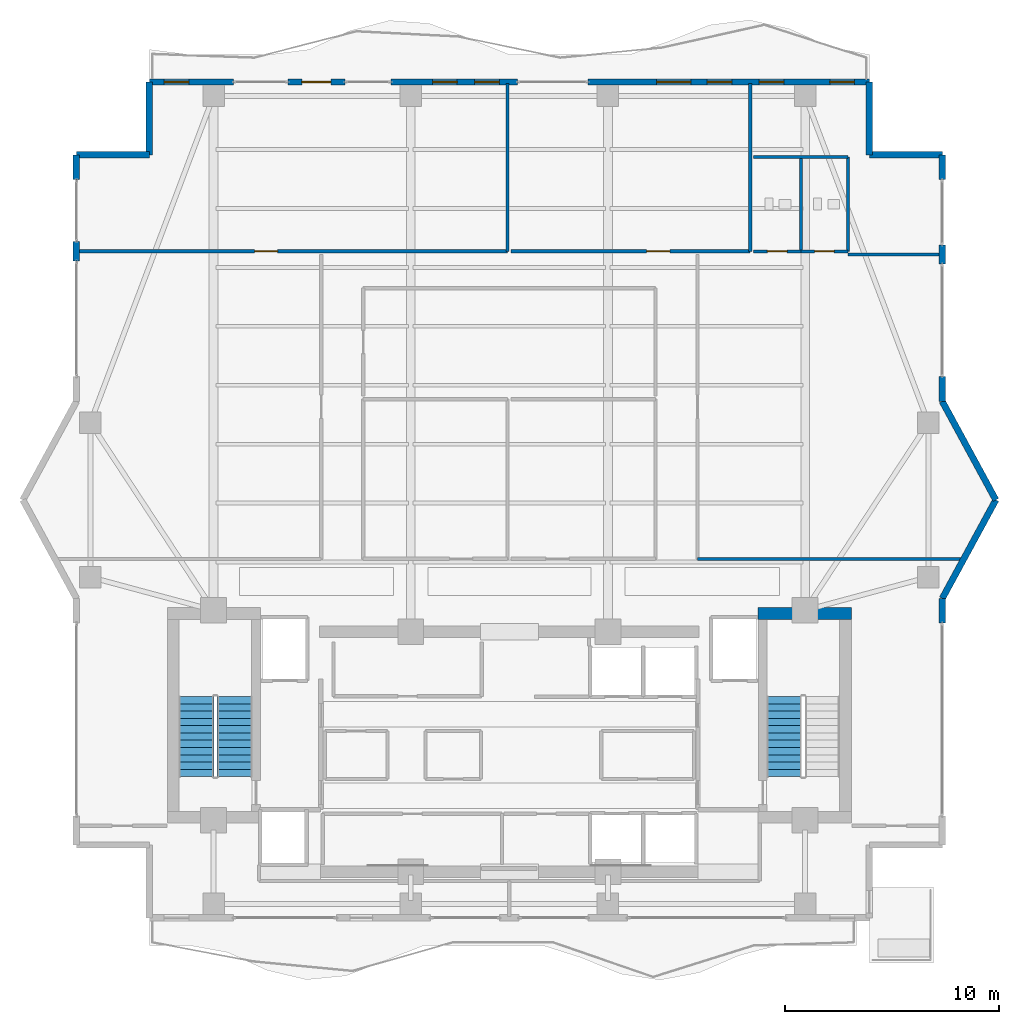
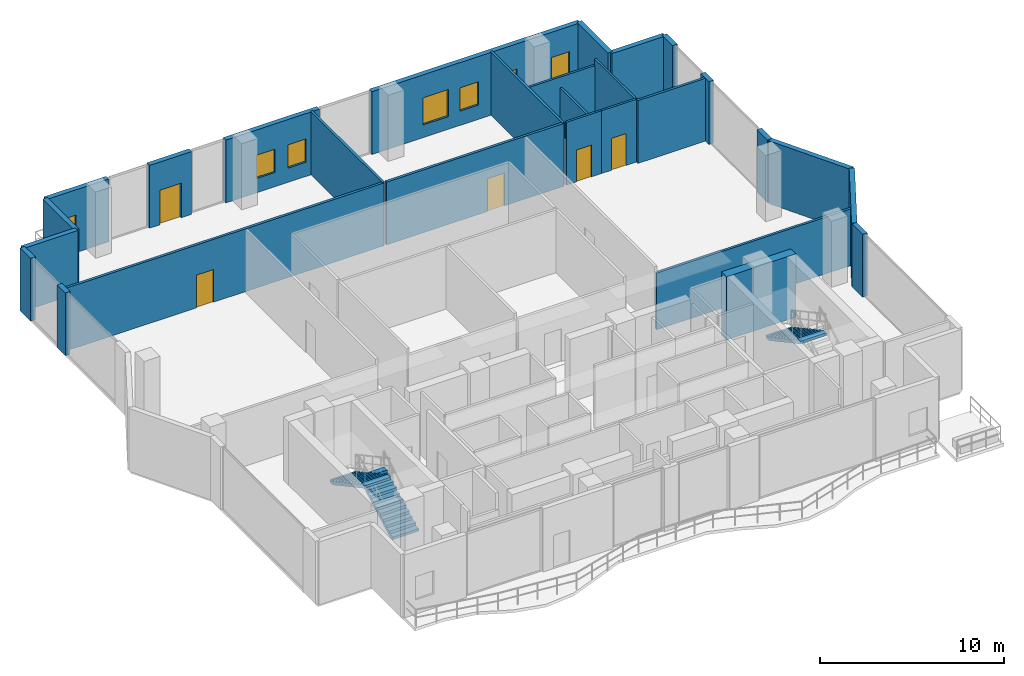
# One storey, part 19 of 23: 28 walls, 7 windows, 5 doors, 3 stair flights, 12 openings, 2 elements without a shape of their own.
"""IFC4 building model written with IfcOpenShell, lengths in metres."""

from ifc_helpers import new_model, si_unit, direction, frame, frame_2d, origin, place, context, subcontext, project, spatial, polyline, rectangle, outline, extrude, material, layer, layer_set, type_object, element, fill, aggregate, save


model = new_model("IFC4")

# Units and contexts
model_context = context("Model", 3, precision=1e-05, world=origin(), true_north=direction((0.0, 1.0)))
body_context = subcontext(model_context, "Body", "Model", "MODEL_VIEW")
ifc_project = project(units=[si_unit("LENGTHUNIT", "METRE"), si_unit("AREAUNIT", "SQUARE_METRE"), si_unit("VOLUMEUNIT", "CUBIC_METRE"), si_unit("PLANEANGLEUNIT", "RADIAN"), si_unit("MASSUNIT", "GRAM", prefix="KILO")], contexts=[model_context])

# Site, building, storey
site_placement = place(None, origin())
site = spatial("IfcSite", under=ifc_project, at=site_placement, CompositionType="ELEMENT")
building_placement = place(site_placement, origin())
building = spatial("IfcBuilding", under=site, at=building_placement, Name="Zuhayl Quay Hotel", CompositionType="ELEMENT")
storey_placement = place(building_placement, frame((0.0, 0.0, 288.449951171875)))
storey = spatial("IfcBuildingStorey", under=building, at=storey_placement, Name="L73", CompositionType="ELEMENT", Elevation=288.449951171875)

# Walls
ifc_material_1 = material(Name="Concrete C50/60", Category="concrete")
ifc_layer_1 = layer(ifc_material_1, 0.550048828125, Name="Concrete C50/60", Category="concrete")
ifc_layer_set_1 = layer_set([ifc_layer_1], Name="Concrete C50/60")
wall_type_1 = type_object("IfcWallType", Name="WL_CORE_550", PredefinedType="SHEAR", material=ifc_layer_set_1)
wall_1_placement = place(storey_placement, frame((11.60009765625, 14.205078125, 0.0), z_axis=(0.0, 0.0, 1.0), x_axis=(1.0, 0.0, 0.0)))
element("IfcWall", 1, at=wall_1_placement, inside=storey, type_object=wall_type_1, Name="L73 Core Shear Wall CW_NE", PredefinedType="SHEAR", context=body_context, shape_type="SweptSolid", body=[
    extrude(rectangle(XDim=4.35986328125, YDim=0.550048828125, at=frame_2d((2.179931640625, 0.0))), origin(), (0.0, 0.0, 1.0), 4.2099609375),
])
ifc_material_2 = material(Name="Precast concrete C45/55", Category="concrete")
ifc_layer_2 = layer(ifc_material_2, 0.300048828125, Name="Precast concrete C45/55", Category="concrete")
ifc_layer_set_2 = layer_set([ifc_layer_2], Name="Precast concrete C45/55")
wall_type_2 = type_object("IfcWallType", Name="WL_EXT_300", PredefinedType="STANDARD", material=ifc_layer_set_2)
wall_2_placement = place(storey_placement, frame((-20.199951171875, 30.64990234375, 0.0), z_axis=(0.0, 0.0, 1.0), x_axis=(0.0, 1.0, 0.0)))
element("IfcWall", 2, at=wall_2_placement, inside=storey, type_object=wall_type_2, Name="L73 Exterior Precast Wall ENV_L73_E05_EW2", PredefinedType="STANDARD", context=body_context, shape_type="SweptSolid", body=[
    extrude(rectangle(XDim=0.900146484375, YDim=0.300048828125, at=frame_2d((0.4501953125, 0.0))), origin(), (0.0, 0.0, 1.0), 4.179931640625),
])
wall_3_placement = place(storey_placement, frame((-20.199951171875, 34.449951171875, 0.0), z_axis=(0.0, 0.0, 1.0), x_axis=(0.0, 1.0, 0.0)))
element("IfcWall", 3, at=wall_3_placement, inside=storey, type_object=wall_type_2, Name="L73 Exterior Precast Wall ENV_L73_E05_EW3", PredefinedType="STANDARD", context=body_context, shape_type="SweptSolid", body=[
    extrude(rectangle(XDim=1.150146484375, YDim=0.300048828125, at=frame_2d((0.5751953125, 0.0))), origin(), (0.0, 0.0, 1.0), 4.179931640625),
])
for number, where, z_axis, x_axis, name in (
    (4, (-20.199951171875, 35.60009765625, 0.0), (0.0, 0.0, 1.0), (1.0, 0.0, 0.0), "L73 Exterior Precast Wall ENV_L73_EW06"),
    (5, (-16.800048828125, 35.60009765625, 0.0), (0.0, 0.0, 1.0), (0.0, 1.0, 0.0), "L73 Exterior Precast Wall ENV_L73_EW07"),
):
    element("IfcWall", number, at=place(storey_placement, frame(where, z_axis=z_axis, x_axis=x_axis)), inside=storey, type_object=wall_type_2, Name=name, PredefinedType="STANDARD", context=body_context, shape_type="SweptSolid", body=[
        extrude(rectangle(XDim=3.39990234375, YDim=0.300048828125, at=frame_2d((1.699951171875, 0.0))), origin(), (0.0, 0.0, 1.0), 4.179931640625),
    ])

# Wall, opening, window
wall_4_placement = place(storey_placement, frame((-16.800048828125, 39.0, 0.0), z_axis=(0.0, 0.0, 1.0), x_axis=(1.0, 0.0, 0.0)))
wall_4 = element("IfcWall", 6, at=wall_4_placement, inside=storey, type_object=wall_type_2, Name="L73 Exterior Precast Wall ENV_L73_N_EW1", PredefinedType="STANDARD", context=body_context, shape_type="SweptSolid", body=[
    extrude(rectangle(XDim=3.920166015625, YDim=0.300048828125, at=frame_2d((1.9599609375, 0.0))), origin(), (0.0, 0.0, 1.0), 4.179931640625),
])
opening_1_placement = place(wall_4_placement, frame((0.695068359375, 0.0, 0.949951171875)))
opening_1 = element("IfcOpeningElement", 7, at=opening_1_placement, cuts=wall_4, Name="Opening W01N", PredefinedType="OPENING", context=body_context, shape_type="SweptSolid", body=[
    extrude(rectangle(XDim=1.14990234375, YDim=1.550048828125, at=frame_2d((0.574951171875, 0.77490234375))), frame((0.0, 0.159912109375, 0.0), z_axis=(0.0, -1.0, 0.0), x_axis=(1.0, 0.0, 0.0)), (0.0, 0.0, 1.0), 0.320068359375),
])
ifc_material_3 = material(Name="Dark Ceramic-Fritted Solar Glass", Category="glass")
window_type_1 = type_object("IfcWindowType", Name="WN_NOTCH_1350", PartitioningType="SINGLE_PANEL", PredefinedType="WINDOW", material=ifc_material_3)
window_1_placement = place(opening_1_placement, origin())
window_1 = element("IfcWindow", 8, at=window_1_placement, inside=storey, type_object=window_type_1, Name="L73 Operable Facade Window 1-1", OverallHeight=1.550048828125, OverallWidth=1.14990234375, PartitioningType="SINGLE_PANEL", PredefinedType="WINDOW", context=body_context, shape_type="SweptSolid", body=[
    extrude(rectangle(XDim=1.14990234375, YDim=1.550048828125, at=frame_2d((0.574951171875, 0.77490234375))), frame((0.0, 0.030029296875, 0.0), z_axis=(0.0, -1.0, 0.0), x_axis=(1.0, 0.0, 0.0)), (0.0, 0.0, 1.0), 0.06005859375),
])
fill(opening_1, window_1)

# Wall, opening, door
wall_5_placement = place(storey_placement, frame((-10.324951171875, 39.0, 0.0), z_axis=(0.0, 0.0, 1.0), x_axis=(1.0, 0.0, 0.0)))
wall_5 = element("IfcWall", 9, at=wall_5_placement, inside=storey, type_object=wall_type_2, Name="L73 Exterior Precast Wall ENV_L73_N_EW2", PredefinedType="STANDARD", context=body_context, shape_type="SweptSolid", body=[
    extrude(rectangle(XDim=2.64990234375, YDim=0.300048828125, at=frame_2d((1.324951171875, 0.0))), origin(), (0.0, 0.0, 1.0), 4.179931640625),
])
opening_2_placement = place(wall_5_placement, frame((0.64990234375, 0.0, 0.0)))
opening_2 = element("IfcOpeningElement", 10, at=opening_2_placement, cuts=wall_5, Name="Opening DG2", PredefinedType="OPENING", context=body_context, shape_type="SweptSolid", body=[
    extrude(rectangle(XDim=1.35009765625, YDim=2.300048828125, at=frame_2d((0.675048828125, 1.14990234375))), frame((0.0, 0.159912109375, 0.0), z_axis=(0.0, -1.0, 0.0), x_axis=(1.0, 0.0, 0.0)), (0.0, 0.0, 1.0), 0.320068359375),
])
ifc_material_4 = material(Name="Anodised Aluminium and Dark Solar Glass", Category="aluminium")
door_type_1 = type_object("IfcDoorType", Name="DR_EXT_TERR_1350", OperationType="NOTDEFINED", PredefinedType="DOOR", material=ifc_material_4)
door_1_placement = place(opening_2_placement, origin())
door_1 = element("IfcDoor", 11, at=door_1_placement, inside=storey, type_object=door_type_1, Name="L73 North Rippling Balcony Door", OperationType="SINGLE_SWING_LEFT", OverallHeight=2.300048828125, OverallWidth=1.35009765625, PredefinedType="DOOR", context=body_context, shape_type="SweptSolid", body=[
    extrude(rectangle(XDim=1.35009765625, YDim=2.300048828125, at=frame_2d((0.675048828125, 1.14990234375))), frame((0.0, 0.02490234375, 0.0), z_axis=(0.0, -1.0, 0.0), x_axis=(1.0, 0.0, 0.0)), (0.0, 0.0, 1.0), 0.050048828125),
])
fill(opening_2, door_1)

# Wall, openings, windows
wall_6_placement = place(storey_placement, frame((-5.52001953125, 39.0, 0.0), z_axis=(0.0, 0.0, 1.0), x_axis=(1.0, 0.0, 0.0)))
wall_6 = element("IfcWall", 12, at=wall_6_placement, inside=storey, type_object=wall_type_2, Name="L73 Exterior Precast Wall ENV_L73_N_EW3", PredefinedType="STANDARD", context=body_context, shape_type="SweptSolid", body=[
    extrude(rectangle(XDim=5.89013671875, YDim=0.300048828125, at=frame_2d((2.945068359375, 0.0))), origin(), (0.0, 0.0, 1.0), 4.179931640625),
])
opening_3_placement = place(wall_6_placement, frame((1.93505859375, 0.0, 0.949951171875)))
opening_3 = element("IfcOpeningElement", 13, at=opening_3_placement, cuts=wall_6, Name="Opening W01N", PredefinedType="OPENING", context=body_context, shape_type="SweptSolid", body=[
    extrude(rectangle(XDim=1.14990234375, YDim=1.550048828125, at=frame_2d((0.574951171875, 0.77490234375))), frame((0.0, 0.159912109375, 0.0), z_axis=(0.0, -1.0, 0.0), x_axis=(1.0, 0.0, 0.0)), (0.0, 0.0, 1.0), 0.320068359375),
])
opening_4_placement = place(wall_6_placement, frame((3.905029296875, 0.0, 0.949951171875)))
opening_4 = element("IfcOpeningElement", 14, at=opening_4_placement, cuts=wall_6, Name="Opening W01N", PredefinedType="OPENING", context=body_context, shape_type="SweptSolid", body=[
    extrude(rectangle(XDim=1.14990234375, YDim=1.550048828125, at=frame_2d((0.574951171875, 0.77490234375))), frame((0.0, 0.159912109375, 0.0), z_axis=(0.0, -1.0, 0.0), x_axis=(1.0, 0.0, 0.0)), (0.0, 0.0, 1.0), 0.320068359375),
])
window_2_placement = place(opening_3_placement, origin())
window_2 = element("IfcWindow", 15, at=window_2_placement, inside=storey, type_object=window_type_1, Name="L73 Operable Facade Window 3-1", OverallHeight=1.550048828125, OverallWidth=1.14990234375, PartitioningType="SINGLE_PANEL", PredefinedType="WINDOW", context=body_context, shape_type="SweptSolid", body=[
    extrude(rectangle(XDim=1.14990234375, YDim=1.550048828125, at=frame_2d((0.574951171875, 0.77490234375))), frame((0.0, 0.030029296875, 0.0), z_axis=(0.0, -1.0, 0.0), x_axis=(1.0, 0.0, 0.0)), (0.0, 0.0, 1.0), 0.06005859375),
])
fill(opening_3, window_2)
window_3_placement = place(opening_4_placement, origin())
window_3 = element("IfcWindow", 16, at=window_3_placement, inside=storey, type_object=window_type_1, Name="L73 Operable Facade Window 3-2", OverallHeight=1.550048828125, OverallWidth=1.14990234375, PartitioningType="SINGLE_PANEL", PredefinedType="WINDOW", context=body_context, shape_type="SweptSolid", body=[
    extrude(rectangle(XDim=1.14990234375, YDim=1.550048828125, at=frame_2d((0.574951171875, 0.77490234375))), frame((0.0, 0.030029296875, 0.0), z_axis=(0.0, -1.0, 0.0), x_axis=(1.0, 0.0, 0.0)), (0.0, 0.0, 1.0), 0.06005859375),
])
fill(opening_4, window_3)

wall_7_placement = place(storey_placement, frame((3.679931640625, 39.0, 0.0), z_axis=(0.0, 0.0, 1.0), x_axis=(1.0, 0.0, 0.0)))
wall_7 = element("IfcWall", 17, at=wall_7_placement, inside=storey, type_object=wall_type_2, Name="L73 Exterior Precast Wall ENV_L73_N_EW4", PredefinedType="STANDARD", context=body_context, shape_type="SweptSolid", body=[
    extrude(rectangle(XDim=13.1201171875, YDim=0.300048828125, at=frame_2d((6.56005859375, 0.0))), origin(), (0.0, 0.0, 1.0), 4.179931640625),
])
opening_5_placement = place(wall_7_placement, frame((3.196044921875, 0.0, 0.85009765625)))
opening_5 = element("IfcOpeningElement", 18, at=opening_5_placement, cuts=wall_7, Name="Opening W01", PredefinedType="OPENING", context=body_context, shape_type="SweptSolid", body=[
    extrude(rectangle(XDim=1.60009765625, YDim=1.800048828125, at=frame_2d((0.800048828125, 0.89990234375))), frame((0.0, 0.159912109375, 0.0), z_axis=(0.0, -1.0, 0.0), x_axis=(1.0, 0.0, 0.0)), (0.0, 0.0, 1.0), 0.320068359375),
])
opening_6_placement = place(wall_7_placement, frame((5.548095703125, 0.0, 0.949951171875)))
opening_6 = element("IfcOpeningElement", 19, at=opening_6_placement, cuts=wall_7, Name="Opening W01N", PredefinedType="OPENING", context=body_context, shape_type="SweptSolid", body=[
    extrude(rectangle(XDim=1.14990234375, YDim=1.550048828125, at=frame_2d((0.574951171875, 0.77490234375))), frame((0.0, 0.159912109375, 0.0), z_axis=(0.0, -1.0, 0.0), x_axis=(1.0, 0.0, 0.0)), (0.0, 0.0, 1.0), 0.320068359375),
])
opening_7_placement = place(wall_7_placement, frame((7.97509765625, 0.0, 0.949951171875)))
opening_7 = element("IfcOpeningElement", 20, at=opening_7_placement, cuts=wall_7, Name="Opening W01N", PredefinedType="OPENING", context=body_context, shape_type="SweptSolid", body=[
    extrude(rectangle(XDim=1.14990234375, YDim=1.550048828125, at=frame_2d((0.574951171875, 0.77490234375))), frame((0.0, 0.159912109375, 0.0), z_axis=(0.0, -1.0, 0.0), x_axis=(1.0, 0.0, 0.0)), (0.0, 0.0, 1.0), 0.320068359375),
])
opening_8_placement = place(wall_7_placement, frame((11.27490234375, 0.0, 0.949951171875)))
opening_8 = element("IfcOpeningElement", 21, at=opening_8_placement, cuts=wall_7, Name="Opening W01N", PredefinedType="OPENING", context=body_context, shape_type="SweptSolid", body=[
    extrude(rectangle(XDim=1.14990234375, YDim=1.550048828125, at=frame_2d((0.574951171875, 0.77490234375))), frame((0.0, 0.159912109375, 0.0), z_axis=(0.0, -1.0, 0.0), x_axis=(1.0, 0.0, 0.0)), (0.0, 0.0, 1.0), 0.320068359375),
])
window_4_placement = place(opening_6_placement, origin())
window_4 = element("IfcWindow", 22, at=window_4_placement, inside=storey, type_object=window_type_1, Name="L73 Operable Facade Window 4-1", OverallHeight=1.550048828125, OverallWidth=1.14990234375, PartitioningType="SINGLE_PANEL", PredefinedType="WINDOW", context=body_context, shape_type="SweptSolid", body=[
    extrude(rectangle(XDim=1.14990234375, YDim=1.550048828125, at=frame_2d((0.574951171875, 0.77490234375))), frame((0.0, 0.030029296875, 0.0), z_axis=(0.0, -1.0, 0.0), x_axis=(1.0, 0.0, 0.0)), (0.0, 0.0, 1.0), 0.06005859375),
])
fill(opening_6, window_4)
window_5_placement = place(opening_7_placement, origin())
window_5 = element("IfcWindow", 23, at=window_5_placement, inside=storey, type_object=window_type_1, Name="L73 Operable Facade Window 4-2", OverallHeight=1.550048828125, OverallWidth=1.14990234375, PartitioningType="SINGLE_PANEL", PredefinedType="WINDOW", context=body_context, shape_type="SweptSolid", body=[
    extrude(rectangle(XDim=1.14990234375, YDim=1.550048828125, at=frame_2d((0.574951171875, 0.77490234375))), frame((0.0, 0.030029296875, 0.0), z_axis=(0.0, -1.0, 0.0), x_axis=(1.0, 0.0, 0.0)), (0.0, 0.0, 1.0), 0.06005859375),
])
fill(opening_7, window_5)
window_6_placement = place(opening_8_placement, origin())
window_6 = element("IfcWindow", 24, at=window_6_placement, inside=storey, type_object=window_type_1, Name="L73 Operable Facade Window 4-3", OverallHeight=1.550048828125, OverallWidth=1.14990234375, PartitioningType="SINGLE_PANEL", PredefinedType="WINDOW", context=body_context, shape_type="SweptSolid", body=[
    extrude(rectangle(XDim=1.14990234375, YDim=1.550048828125, at=frame_2d((0.574951171875, 0.77490234375))), frame((0.0, 0.030029296875, 0.0), z_axis=(0.0, -1.0, 0.0), x_axis=(1.0, 0.0, 0.0)), (0.0, 0.0, 1.0), 0.06005859375),
])
fill(opening_8, window_6)
window_type_2 = type_object("IfcWindowType", Name="WN_OPERABLE_1600", PartitioningType="DOUBLE_PANEL_VERTICAL", PredefinedType="WINDOW", material=ifc_material_3)
window_7_placement = place(opening_5_placement, origin())
window_7 = element("IfcWindow", 25, at=window_7_placement, inside=storey, type_object=window_type_2, Name="L73 North Operable Casement Window", OverallHeight=1.800048828125, OverallWidth=1.60009765625, PartitioningType="SINGLE_PANEL", PredefinedType="WINDOW", context=body_context, shape_type="SweptSolid", body=[
    extrude(rectangle(XDim=1.60009765625, YDim=1.800048828125, at=frame_2d((0.800048828125, 0.89990234375))), frame((0.0, 0.030029296875, 0.0), z_axis=(0.0, -1.0, 0.0), x_axis=(1.0, 0.0, 0.0)), (0.0, 0.0, 1.0), 0.06005859375),
])
fill(opening_5, window_7)

# Walls
for number, where, z_axis, x_axis, name in (
    (26, (16.800048828125, 39.0, 0.0), (0.0, 0.0, 1.0), (0.0, -1.0, 0.0), "L73 Exterior Precast Wall ENV_L73_EW09"),
    (27, (16.800048828125, 35.60009765625, 0.0), (0.0, 0.0, 1.0), (1.0, 0.0, 0.0), "L73 Exterior Precast Wall ENV_L73_EW10"),
):
    element("IfcWall", number, at=place(storey_placement, frame(where, z_axis=z_axis, x_axis=x_axis)), inside=storey, type_object=wall_type_2, Name=name, PredefinedType="STANDARD", context=body_context, shape_type="SweptSolid", body=[
        extrude(rectangle(XDim=3.39990234375, YDim=0.300048828125, at=frame_2d((1.699951171875, 0.0))), origin(), (0.0, 0.0, 1.0), 4.179931640625),
    ])
wall_8_placement = place(storey_placement, frame((20.199951171875, 35.60009765625, 0.0), z_axis=(0.0, 0.0, 1.0), x_axis=(0.0, -1.0, 0.0)))
element("IfcWall", 28, at=wall_8_placement, inside=storey, type_object=wall_type_2, Name="L73 Exterior Precast Wall ENV_L73_E11_EW1", PredefinedType="STANDARD", context=body_context, shape_type="SweptSolid", body=[
    extrude(rectangle(XDim=1.150146484375, YDim=0.300048828125, at=frame_2d((0.5751953125, 0.0))), origin(), (0.0, 0.0, 1.0), 4.179931640625),
])
wall_9_placement = place(storey_placement, frame((20.199951171875, 31.39990234375, 0.0), z_axis=(0.0, 0.0, 1.0), x_axis=(0.0, -1.0, 0.0)))
element("IfcWall", 29, at=wall_9_placement, inside=storey, type_object=wall_type_2, Name="L73 Exterior Precast Wall ENV_L73_E11_EW2", PredefinedType="STANDARD", context=body_context, shape_type="SweptSolid", body=[
    extrude(rectangle(XDim=0.89990234375, YDim=0.300048828125, at=frame_2d((0.449951171875, 0.0))), origin(), (0.0, 0.0, 1.0), 4.179931640625),
])
wall_10_placement = place(storey_placement, frame((20.199951171875, 25.25, 0.0), z_axis=(0.0, 0.0, 1.0), x_axis=(0.0, -1.0, 0.0)))
element("IfcWall", 30, at=wall_10_placement, inside=storey, type_object=wall_type_2, Name="L73 Exterior Precast Wall ENV_L73_E11_EW3", PredefinedType="STANDARD", context=body_context, shape_type="SweptSolid", body=[
    extrude(rectangle(XDim=1.14990234375, YDim=0.300048828125, at=frame_2d((0.574951171875, 0.0))), origin(), (0.0, 0.0, 1.0), 4.179931640625),
])
for number, where, z_axis, x_axis, name in (
    (31, (20.199951171875, 24.10009765625, 0.0), (0.0, 0.0, 1.0), (0.477505494629, -0.878628762675, 0.0), "L73 Exterior Precast Wall ENV_L73_EW12"),
    (32, (22.699951171875, 19.5, 0.0), (0.0, 0.0, 1.0), (-0.477505494629, -0.878628762675, 0.0), "L73 Exterior Precast Wall ENV_L73_EW13"),
):
    element("IfcWall", number, at=place(storey_placement, frame(where, z_axis=z_axis, x_axis=x_axis)), inside=storey, type_object=wall_type_2, Name=name, PredefinedType="STANDARD", context=body_context, shape_type="SweptSolid", body=[
        extrude(rectangle(XDim=5.235595703125, YDim=0.300048828125, at=frame_2d((2.61767578125, 0.0))), origin(), (0.0, 0.0, 1.0), 4.179931640625),
    ])
wall_11_placement = place(storey_placement, frame((20.199951171875, 14.89990234375, 0.0), z_axis=(0.0, 0.0, 1.0), x_axis=(0.0, -1.0, 0.0)))
element("IfcWall", 33, at=wall_11_placement, inside=storey, type_object=wall_type_2, Name="L73 Exterior Precast Wall ENV_L73_E14_EW1", PredefinedType="STANDARD", context=body_context, shape_type="SweptSolid", body=[
    extrude(rectangle(XDim=1.14990234375, YDim=0.300048828125, at=frame_2d((0.574951171875, 0.0))), origin(), (0.0, 0.0, 1.0), 4.179931640625),
])
ifc_material_5 = material(Name="Acoustic Gypsum Partition STC-58")
ifc_layer_3 = layer(ifc_material_5, 0.14990234375, Name="Acoustic Gypsum Partition STC-58")
ifc_layer_set_3 = layer_set([ifc_layer_3], Name="Acoustic Gypsum Partition STC-58")
wall_type_3 = type_object("IfcWallType", Name="WL_PART_150", PredefinedType="PARTITIONING", material=ifc_layer_set_3)
for number, where, z_axis, x_axis, name in (
    (34, (-0.080078125, 31.10009765625, 0.0), (0.0, 0.0, 1.0), (0.0, 1.0, 0.0), "L73 Partition IW_L73_SKY_LOUNGE_E"),
    (35, (11.239990234375, 31.10009765625, 0.0), (0.0, 0.0, 1.0), (0.0, 1.0, 0.0), "L73 Partition IW_L73_MUSIC_BAR_E"),
):
    element("IfcWall", number, at=place(storey_placement, frame(where, z_axis=z_axis, x_axis=x_axis)), inside=storey, type_object=wall_type_3, Name=name, PredefinedType="PARTITIONING", context=body_context, shape_type="SweptSolid", body=[
        extrude(rectangle(XDim=7.83984375, YDim=0.14990234375, at=frame_2d((3.919921875, 0.0))), origin(), (0.0, 0.0, 1.0), 4.179931640625),
    ])
wall_12_placement = place(storey_placement, frame((8.780029296875, 16.75, 0.0), z_axis=(0.0, 0.0, 1.0), x_axis=(1.0, 0.0, 0.0)))
element("IfcWall", 36, at=wall_12_placement, inside=storey, type_object=wall_type_3, Name="L73 Partition IW_L73_BAR_PANTRY_S", PredefinedType="PARTITIONING", context=body_context, shape_type="SweptSolid", body=[
    extrude(rectangle(XDim=12.365478515625, YDim=0.14990234375, at=frame_2d((6.1826171875, 0.0))), origin(), (0.0, 0.0, 1.0), 3.776123046875),
])
wall_13_placement = place(storey_placement, frame((15.800048828125, 30.949951171875, 0.0), z_axis=(0.0, 0.0, 1.0), x_axis=(1.0, 0.0, 0.0)))
element("IfcWall", 37, at=wall_13_placement, inside=storey, type_object=wall_type_3, Name="L73 Partition IW_L73_BAR_PANTRY_N", PredefinedType="PARTITIONING", context=body_context, shape_type="SweptSolid", body=[
    extrude(rectangle(XDim=4.33984375, YDim=0.14990234375, at=frame_2d((2.169921875, 0.0))), origin(), (0.0, 0.0, 1.0), 4.179931640625),
])

# Wall, opening, door
ifc_layer_4 = layer(ifc_material_5, 0.159912109375, Name="Acoustic Gypsum Partition STC-58")
ifc_layer_set_4 = layer_set([ifc_layer_4], Name="Acoustic Gypsum Partition STC-58")
wall_type_4 = type_object("IfcWallType", Name="WL_PART_CORR_160", PredefinedType="PARTITIONING", material=ifc_layer_set_4)
wall_14_placement = place(storey_placement, frame((-20.139892578125, 31.10009765625, 0.0), z_axis=(0.0, 0.0, 1.0), x_axis=(1.0, 0.0, 0.0)))
wall_14 = element("IfcWall", 38, at=wall_14_placement, inside=storey, type_object=wall_type_4, Name="L73 Partition IW_L73_SKY_LOUNGE_S", PredefinedType="PARTITIONING", context=body_context, shape_type="SweptSolid", body=[
    extrude(rectangle(XDim=20.059814453125, YDim=0.159912109375, at=frame_2d((10.02978515625, 0.0))), origin(), (0.0, 0.0, 1.0), 4.179931640625),
])
opening_9_placement = place(wall_14_placement, frame((8.25, 0.0, 0.0)))
opening_9 = element("IfcOpeningElement", 39, at=opening_9_placement, cuts=wall_14, Name="Opening D05A", PredefinedType="OPENING", context=body_context, shape_type="SweptSolid", body=[
    extrude(rectangle(XDim=1.080078125, YDim=2.179931640625, at=frame_2d((0.5400390625, 1.08984375))), frame((0.0, 0.08984375, 0.0), z_axis=(0.0, -1.0, 0.0), x_axis=(1.0, 0.0, 0.0)), (0.0, 0.0, 1.0), 0.179931640625),
])
ifc_material_6 = material(Name="Solid Walnut Acoustic Fire Door")
door_type_2 = type_object("IfcDoorType", Name="DR_INT_1100", OperationType="NOTDEFINED", PredefinedType="DOOR", material=ifc_material_6)
door_2_placement = place(opening_9_placement, origin())
door_2 = element("IfcDoor", 40, at=door_2_placement, inside=storey, type_object=door_type_2, Name="L73 Sky Lounge and Cocktail Salon Door", OperationType="SINGLE_SWING_RIGHT", OverallHeight=2.179931640625, OverallWidth=1.080078125, PredefinedType="DOOR", context=body_context, shape_type="SweptSolid", body=[
    extrude(rectangle(XDim=1.080078125, YDim=2.179931640625, at=frame_2d((0.5400390625, 1.08984375))), frame((0.0, 0.02490234375, 0.0), z_axis=(0.0, -1.0, 0.0), x_axis=(1.0, 0.0, 0.0)), (0.0, 0.0, 1.0), 0.050048828125),
])
fill(opening_9, door_2)

wall_15_placement = place(storey_placement, frame((0.080078125, 31.10009765625, 0.0), z_axis=(0.0, 0.0, 1.0), x_axis=(1.0, 0.0, 0.0)))
wall_15 = element("IfcWall", 41, at=wall_15_placement, inside=storey, type_object=wall_type_4, Name="L73 Partition IW_L73_MUSIC_BAR_S", PredefinedType="PARTITIONING", context=body_context, shape_type="SweptSolid", body=[
    extrude(rectangle(XDim=11.159912109375, YDim=0.159912109375, at=frame_2d((5.580078125, 0.0))), origin(), (0.0, 0.0, 1.0), 4.179931640625),
])
opening_10_placement = place(wall_15_placement, frame((6.330078125, 0.0, 0.0)))
opening_10 = element("IfcOpeningElement", 42, at=opening_10_placement, cuts=wall_15, Name="Opening D05A", PredefinedType="OPENING", context=body_context, shape_type="SweptSolid", body=[
    extrude(rectangle(XDim=1.080078125, YDim=2.179931640625, at=frame_2d((0.5400390625, 1.08984375))), frame((0.0, 0.08984375, 0.0), z_axis=(0.0, -1.0, 0.0), x_axis=(1.0, 0.0, 0.0)), (0.0, 0.0, 1.0), 0.179931640625),
])
door_3_placement = place(opening_10_placement, origin())
door_3 = element("IfcDoor", 43, at=door_3_placement, inside=storey, type_object=door_type_2, Name="L73 Acoustic Jazz and Piano Salon Door", OperationType="SINGLE_SWING_LEFT", OverallHeight=2.179931640625, OverallWidth=1.080078125, PredefinedType="DOOR", context=body_context, shape_type="SweptSolid", body=[
    extrude(rectangle(XDim=1.080078125, YDim=2.179931640625, at=frame_2d((0.5400390625, 1.08984375))), frame((0.0, 0.02490234375, 0.0), z_axis=(0.0, -1.0, 0.0), x_axis=(1.0, 0.0, 0.0)), (0.0, 0.0, 1.0), 0.050048828125),
])
fill(opening_10, door_3)

ifc_material_7 = material(Name="Moisture-Resistant Sanitarychase Gypsum")
ifc_layer_5 = layer(ifc_material_7, 0.135009765625, Name="Moisture-Resistant Sanitarychase Gypsum")
ifc_layer_set_5 = layer_set([ifc_layer_5], Name="Moisture-Resistant Sanitarychase Gypsum")
wall_type_5 = type_object("IfcWallType", Name="WL_PART_PLUMB_150", PredefinedType="PLUMBINGWALL", material=ifc_layer_set_5)
wall_16_placement = place(storey_placement, frame((11.39990234375, 31.10009765625, 0.0), z_axis=(0.0, 0.0, 1.0), x_axis=(1.0, 0.0, 0.0)))
wall_16 = element("IfcWall", 44, at=wall_16_placement, inside=storey, type_object=wall_type_5, Name="L73 Partition IW_L73_SWC_PUB_F", PredefinedType="PLUMBINGWALL", context=body_context, shape_type="SweptSolid", body=[
    extrude(rectangle(XDim=2.2001953125, YDim=0.135009765625, at=frame_2d((1.10009765625, 0.0))), origin(), (0.0, 0.0, 1.0), 4.179931640625),
])
opening_11_placement = place(wall_16_placement, frame((0.639892578125, 0.0, 0.0)))
opening_11 = element("IfcOpeningElement", 45, at=opening_11_placement, cuts=wall_16, Name="Opening D05", PredefinedType="OPENING", context=body_context, shape_type="SweptSolid", body=[
    extrude(rectangle(XDim=0.919921875, YDim=2.1201171875, at=frame_2d((0.4599609375, 1.06005859375))), frame((0.0, 0.077392578125, 0.0), z_axis=(0.0, -1.0, 0.0), x_axis=(1.0, 0.0, 0.0)), (0.0, 0.0, 1.0), 0.155029296875),
])
door_type_3 = type_object("IfcDoorType", Name="DR_INT_950", OperationType="NOTDEFINED", PredefinedType="DOOR", material=ifc_material_6)
door_4_placement = place(opening_11_placement, origin())
door_4 = element("IfcDoor", 46, at=door_4_placement, inside=storey, type_object=door_type_3, Name="L73 Public Restroom Door", OperationType="SINGLE_SWING_LEFT", OverallHeight=2.1201171875, OverallWidth=0.919921875, PredefinedType="DOOR", context=body_context, shape_type="SweptSolid", body=[
    extrude(rectangle(XDim=0.919921875, YDim=2.1201171875, at=frame_2d((0.4599609375, 1.06005859375))), frame((0.0, 0.02490234375, 0.0), z_axis=(0.0, -1.0, 0.0), x_axis=(1.0, 0.0, 0.0)), (0.0, 0.0, 1.0), 0.050048828125),
])
fill(opening_11, door_4)

wall_17_placement = place(storey_placement, frame((13.60009765625, 31.10009765625, 0.0), z_axis=(0.0, 0.0, 1.0), x_axis=(1.0, 0.0, 0.0)))
wall_17 = element("IfcWall", 47, at=wall_17_placement, inside=storey, type_object=wall_type_5, Name="L73 Partition IW_L73_SWC_ACC_F", PredefinedType="PLUMBINGWALL", context=body_context, shape_type="SweptSolid", body=[
    extrude(rectangle(XDim=2.199951171875, YDim=0.135009765625, at=frame_2d((1.10009765625, 0.0))), origin(), (0.0, 0.0, 1.0), 4.179931640625),
])
opening_12_placement = place(wall_17_placement, frame((0.639892578125, 0.0, 0.0)))
opening_12 = element("IfcOpeningElement", 48, at=opening_12_placement, cuts=wall_17, Name="Opening D05", PredefinedType="OPENING", context=body_context, shape_type="SweptSolid", body=[
    extrude(rectangle(XDim=0.919921875, YDim=2.1201171875, at=frame_2d((0.4599609375, 1.06005859375))), frame((0.0, 0.077392578125, 0.0), z_axis=(0.0, -1.0, 0.0), x_axis=(1.0, 0.0, 0.0)), (0.0, 0.0, 1.0), 0.155029296875),
])
door_5_placement = place(opening_12_placement, origin())
door_5 = element("IfcDoor", 49, at=door_5_placement, inside=storey, type_object=door_type_3, Name="L73 Accessible Wheelchair WC Door", OperationType="SINGLE_SWING_RIGHT", OverallHeight=2.1201171875, OverallWidth=0.919921875, PredefinedType="DOOR", context=body_context, shape_type="SweptSolid", body=[
    extrude(rectangle(XDim=0.919921875, YDim=2.1201171875, at=frame_2d((0.4599609375, 1.06005859375))), frame((0.0, 0.02490234375, 0.0), z_axis=(0.0, -1.0, 0.0), x_axis=(1.0, 0.0, 0.0)), (0.0, 0.0, 1.0), 0.050048828125),
])
fill(opening_12, door_5)

# Walls
wall_18_placement = place(storey_placement, frame((11.39990234375, 35.5, 0.0), z_axis=(0.0, 0.0, 1.0), x_axis=(1.0, 0.0, 0.0)))
element("IfcWall", 50, at=wall_18_placement, inside=storey, type_object=wall_type_5, Name="L73 Partition IW_L73_SWC_BK", PredefinedType="PLUMBINGWALL", context=body_context, shape_type="SweptSolid", body=[
    extrude(rectangle(XDim=4.400146484375, YDim=0.135009765625, at=frame_2d((2.2001953125, 0.0))), origin(), (0.0, 0.0, 1.0), 3.776123046875),
])
wall_19_placement = place(storey_placement, frame((15.800048828125, 31.10009765625, 0.0), z_axis=(0.0, 0.0, 1.0), x_axis=(0.0, 1.0, 0.0)))
element("IfcWall", 51, at=wall_19_placement, inside=storey, type_object=wall_type_5, Name="L73 Partition IW_L73_SWC_E", PredefinedType="PLUMBINGWALL", context=body_context, shape_type="SweptSolid", body=[
    extrude(rectangle(XDim=4.39990234375, YDim=0.135009765625, at=frame_2d((2.199951171875, 0.0))), origin(), (0.0, 0.0, 1.0), 4.179931640625),
])
wall_20_placement = place(storey_placement, frame((13.60009765625, 31.10009765625, 0.0), z_axis=(0.0, 0.0, 1.0), x_axis=(0.0, 1.0, 0.0)))
element("IfcWall", 52, at=wall_20_placement, inside=storey, type_object=wall_type_5, Name="L73 Partition IW_L73_SWC_DIV", PredefinedType="PLUMBINGWALL", context=body_context, shape_type="SweptSolid", body=[
    extrude(rectangle(XDim=4.39990234375, YDim=0.135009765625, at=frame_2d((2.199951171875, 0.0))), origin(), (0.0, 0.0, 1.0), 3.06201171875),
])

# Stair, stair flights
ifc_material_8 = material(Name="Concrete C45/55", Category="concrete")
stair_type = type_object("IfcStairType", Name="ST_DOGLEG_TOWER", PredefinedType="HALF_TURN_STAIR", material=ifc_material_8)
stair_1_placement = place(storey_placement, origin())
stair_1 = element("IfcStair", 53, at=stair_1_placement, inside=storey, type_object=stair_type, Name="L73 Smokeproof Exit Stair ST1", PredefinedType="HALF_TURN_STAIR")
ifc_layer_6 = layer(ifc_material_8, 0.159912109375, Name="Concrete C45/55", Category="concrete")
ifc_layer_set_6 = layer_set([ifc_layer_6], Name="Concrete C45/55")
stair_flight_type = type_object("IfcStairFlightType", Name="SF_CONC_164", PredefinedType="STRAIGHT", material=ifc_layer_set_6)
stair_flight_1_placement = place(storey_placement, frame((-12.820068359375, 6.590087890625, 0.0), z_axis=(0.0, 0.0, 1.0), x_axis=(0.0, 1.0, 0.0)))
stair_flight_1 = element("IfcStairFlight", 54, at=stair_flight_1_placement, type_object=stair_flight_type, Name="ST1 flight 1", NumberOfRisers=12, NumberOfTreads=11, PredefinedType="STRAIGHT", RiserHeight=0.183333333, TreadLength=0.34, context=body_context, shape_type="SweptSolid", body=[
    extrude(outline(polyline([(0.0, 0.0), (0.0, 0.183349609375), (0.340087890625, 0.183349609375), (0.340087890625, 0.36669921875), (0.679931640625, 0.36669921875), (0.679931640625, 0.550048828125), (1.02001953125, 0.550048828125), (1.02001953125, 0.7333984375), (1.360107421875, 0.7333984375), (1.360107421875, 0.916748046875), (1.699951171875, 0.916748046875), (1.699951171875, 1.10009765625), (2.0400390625, 1.10009765625), (2.0400390625, 1.283447265625), (2.3798828125, 1.283447265625), (2.3798828125, 1.466552734375), (2.719970703125, 1.466552734375), (2.719970703125, 1.64990234375), (3.06005859375, 1.64990234375), (3.06005859375, 1.833251953125), (3.39990234375, 1.833251953125), (3.39990234375, 2.0166015625), (3.739990234375, 2.0166015625), (3.739990234375, 2.199951171875), (3.739990234375, 1.846435546875), (0.31591796875, 0.0), (0.0, 0.0)])), frame((0.0, 0.81982421875, 0.0), z_axis=(0.0, -1.0, 0.0), x_axis=(1.0, 0.0, 0.0)), (0.0, 0.0, 1.0), 1.639892578125),
])
stair_flight_2_placement = place(storey_placement, frame((-14.610107421875, 10.330078125, 2.199951171875), z_axis=(0.0, 0.0, 1.0), x_axis=(0.0, -1.0, 0.0)))
stair_flight_2 = element("IfcStairFlight", 55, at=stair_flight_2_placement, type_object=stair_flight_type, Name="ST1 flight 2", NumberOfRisers=12, NumberOfTreads=11, PredefinedType="STRAIGHT", RiserHeight=0.183333333, TreadLength=0.34, context=body_context, shape_type="SweptSolid", body=[
    extrude(outline(polyline([(0.0, 0.0), (0.0, 0.183349609375), (0.340087890625, 0.183349609375), (0.340087890625, 0.36669921875), (0.679931640625, 0.36669921875), (0.679931640625, 0.550048828125), (1.02001953125, 0.550048828125), (1.02001953125, 0.7333984375), (1.360107421875, 0.7333984375), (1.360107421875, 0.916748046875), (1.699951171875, 0.916748046875), (1.699951171875, 1.10009765625), (2.0400390625, 1.10009765625), (2.0400390625, 1.283447265625), (2.3798828125, 1.283447265625), (2.3798828125, 1.466552734375), (2.719970703125, 1.466552734375), (2.719970703125, 1.64990234375), (3.06005859375, 1.64990234375), (3.06005859375, 1.833251953125), (3.39990234375, 1.833251953125), (3.39990234375, 2.0166015625), (3.739990234375, 2.0166015625), (3.739990234375, 2.199951171875), (3.739990234375, 1.846435546875), (0.31591796875, 0.0), (0.0, 0.0)])), frame((0.0, 0.81982421875, 0.0), z_axis=(0.0, -1.0, 0.0), x_axis=(1.0, 0.0, 0.0)), (0.0, 0.0, 1.0), 1.639892578125),
])
aggregate(stair_1, [stair_flight_1, stair_flight_2])

# Stair, stair flight
stair_2_placement = place(storey_placement, origin())
stair_2 = element("IfcStair", 56, at=stair_2_placement, inside=storey, type_object=stair_type, Name="L73 Smokeproof Exit Stair ST2", PredefinedType="HALF_TURN_STAIR")
stair_flight_3_placement = place(storey_placement, frame((12.820068359375, 10.330078125, 2.199951171875), z_axis=(0.0, 0.0, 1.0), x_axis=(0.0, -1.0, 0.0)))
stair_flight_3 = element("IfcStairFlight", 57, at=stair_flight_3_placement, type_object=stair_flight_type, Name="ST2 flight 2", NumberOfRisers=12, NumberOfTreads=11, PredefinedType="STRAIGHT", RiserHeight=0.183333333, TreadLength=0.34, context=body_context, shape_type="SweptSolid", body=[
    extrude(outline(polyline([(0.0, 0.0), (0.0, 0.183349609375), (0.340087890625, 0.183349609375), (0.340087890625, 0.36669921875), (0.679931640625, 0.36669921875), (0.679931640625, 0.550048828125), (1.02001953125, 0.550048828125), (1.02001953125, 0.7333984375), (1.360107421875, 0.7333984375), (1.360107421875, 0.916748046875), (1.699951171875, 0.916748046875), (1.699951171875, 1.10009765625), (2.0400390625, 1.10009765625), (2.0400390625, 1.283447265625), (2.3798828125, 1.283447265625), (2.3798828125, 1.466552734375), (2.719970703125, 1.466552734375), (2.719970703125, 1.64990234375), (3.06005859375, 1.64990234375), (3.06005859375, 1.833251953125), (3.39990234375, 1.833251953125), (3.39990234375, 2.0166015625), (3.739990234375, 2.0166015625), (3.739990234375, 2.199951171875), (3.739990234375, 1.846435546875), (0.31591796875, 0.0), (0.0, 0.0)])), frame((0.0, 0.81982421875, 0.0), z_axis=(0.0, -1.0, 0.0), x_axis=(1.0, 0.0, 0.0)), (0.0, 0.0, 1.0), 1.639892578125),
])
aggregate(stair_2, [stair_flight_3])

save(model, "model.ifc")
